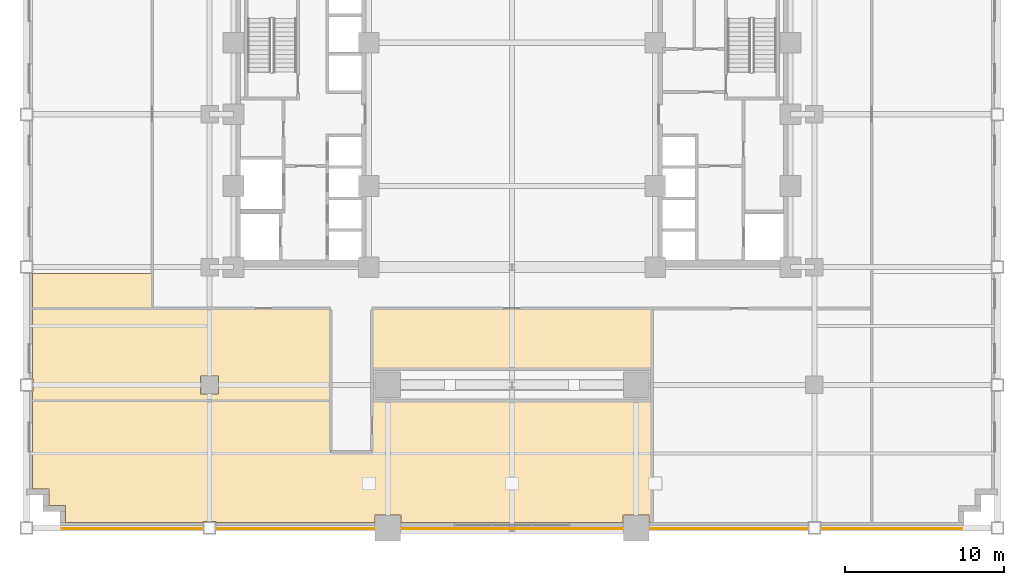
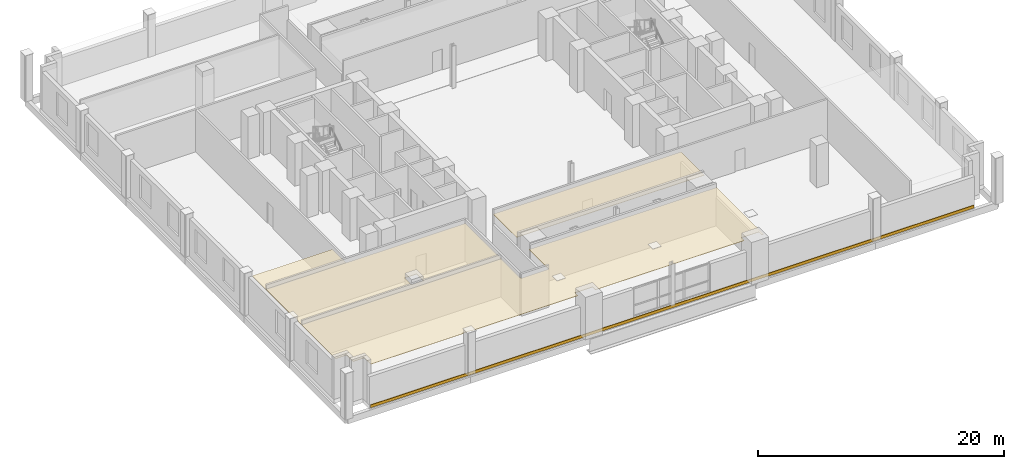
# One storey, part 12 of 17: 5 coverings.
"""IFC4 building model written with IfcOpenShell, lengths in metres."""

from ifc_helpers import new_model, si_unit, direction, frame, origin, origin_2d, place, context, subcontext, project, spatial, polyline, rectangle, outline, extrude, source, transform, mapped, material, layer, layer_set, type_object, type_shapes, element, save


model = new_model("IFC4")

# Units and contexts
model_context = context("Model", 3, precision=1e-05, world=origin(), true_north=direction((0.0, 1.0)))
body_context = subcontext(model_context, "Body", "Model", "MODEL_VIEW")
ifc_project = project(units=[si_unit("LENGTHUNIT", "METRE"), si_unit("AREAUNIT", "SQUARE_METRE"), si_unit("VOLUMEUNIT", "CUBIC_METRE"), si_unit("PLANEANGLEUNIT", "RADIAN"), si_unit("MASSUNIT", "GRAM", prefix="KILO")], contexts=[model_context])

# Site, building, storey
site_placement = place(None, origin())
site = spatial("IfcSite", under=ifc_project, at=site_placement, CompositionType="ELEMENT")
building_placement = place(site_placement, origin())
building = spatial("IfcBuilding", under=site, at=building_placement, Name="Nuvemarco Arch Tower", CompositionType="ELEMENT")
storey_placement = place(building_placement, frame((0.0, 0.0, 23.0)))
storey = spatial("IfcBuildingStorey", under=building, at=storey_placement, Name="L05", CompositionType="ELEMENT", Elevation=23.0)

# Coverings
ifc_material_1 = material(Name="Mineral acoustic ceiling tile")
ifc_layer_1 = layer(ifc_material_1, 0.0400390625, Name="COV-ACOUSTIC-CLG")
ifc_layer_set_1 = layer_set([ifc_layer_1], Name="Mineral acoustic ceiling tile")
covering_type_1 = type_object("IfcCoveringType", Name="COV-ACOUSTIC-CLG", PredefinedType="CEILING", material=ifc_layer_set_1)
covering_1_placement = place(storey_placement, frame((0.0, 0.0, 3.679931640625)))
element("IfcCovering", 1, at=covering_1_placement, inside=storey, type_object=covering_type_1, Name="L05 suspended acoustic ceiling 1", PredefinedType="CEILING", context=body_context, shape_type="SweptSolid", body=[
    extrude(outline(polyline([(-6.985107421875, -25.18505859375), (-8.614990234375, -25.18505859375), (-8.614990234375, -25.639892578125), (-18.5849609375, -25.639892578125), (-18.5849609375, -25.5849609375), (-19.4150390625, -25.5849609375), (-19.4150390625, -25.639892578125), (-28.0400390625, -25.639892578125), (-28.0400390625, -24.590087890625), (-29.090087890625, -24.590087890625), (-29.090087890625, -23.5400390625), (-30.139892578125, -23.5400390625), (-30.139892578125, -18.0), (-11.39990234375, -18.0), (-11.39990234375, -21.199951171875), (-8.800048828125, -21.199951171875), (-8.800048828125, -18.0), (8.800048828125, -18.0), (8.800048828125, -25.639892578125), (8.614990234375, -25.639892578125), (8.614990234375, -25.18505859375), (6.985107421875, -25.18505859375), (6.985107421875, -25.639892578125), (-6.985107421875, -25.639892578125), (-6.985107421875, -25.18505859375)])), origin(), (0.0, 0.0, 1.0), 0.0400390625),
])
covering_2_placement = place(storey_placement, frame((0.0, 0.0, 3.679931640625)))
element("IfcCovering", 2, at=covering_2_placement, inside=storey, type_object=covering_type_1, Name="L05 suspended acoustic ceiling 4", PredefinedType="CEILING", context=body_context, shape_type="SweptSolid", body=[
    extrude(outline(polyline([(-30.139892578125, -10.014892578125), (-30.0849609375, -10.014892578125), (-30.0849609375, -10.0), (-22.60009765625, -10.0), (-22.60009765625, -12.199951171875), (-30.139892578125, -12.199951171875), (-30.139892578125, -10.014892578125)])), origin(), (0.0, 0.0, 1.0), 0.0400390625),
])
covering_3_placement = place(storey_placement, frame((0.0, 0.0, 3.679931640625)))
element("IfcCovering", 3, at=covering_3_placement, inside=storey, type_object=covering_type_1, Name="L05 suspended acoustic ceiling 7", PredefinedType="CEILING", context=body_context, shape_type="SweptSolid", body=[
    extrude(outline(polyline([(-22.60009765625, -12.199951171875), (-19.800048828125, -12.199951171875), (-11.39990234375, -12.199951171875), (-11.39990234375, -18.0), (-30.139892578125, -18.0), (-30.139892578125, -17.4150390625), (-30.0849609375, -17.4150390625), (-30.0849609375, -16.5849609375), (-30.139892578125, -16.5849609375), (-30.139892578125, -12.199951171875), (-22.60009765625, -12.199951171875)]), holes=[polyline([(-18.43505859375, -17.56494140625), (-18.43505859375, -16.43505859375), (-19.56494140625, -16.43505859375), (-19.56494140625, -17.56494140625), (-18.43505859375, -17.56494140625)])]), origin(), (0.0, 0.0, 1.0), 0.0400390625),
])
covering_4_placement = place(storey_placement, frame((0.0, 0.0, 3.679931640625)))
element("IfcCovering", 4, at=covering_4_placement, inside=storey, type_object=covering_type_1, Name="L05 suspended acoustic ceiling 9", PredefinedType="CEILING", context=body_context, shape_type="SweptSolid", body=[
    extrude(outline(polyline([(-8.800048828125, -12.199951171875), (8.800048828125, -12.199951171875), (8.800048828125, -16.0), (-8.800048828125, -16.0), (-8.800048828125, -12.199951171875)])), origin(), (0.0, 0.0, 1.0), 0.0400390625),
])
ifc_material_2 = material(Name="Precast concrete C45/55", Category="concrete")
ifc_layer_2 = layer(ifc_material_2, 0.06005859375, Name="COV-SPANDREL-CLAD")
ifc_layer_set_2 = layer_set([ifc_layer_2], Name="Precast concrete C45/55")
covering_type_2 = type_object("IfcCoveringType", Name="COV-SPANDREL-CLAD", PredefinedType="CLADDING", material=ifc_layer_set_2)
shared_shape = source(origin(), body_context, "Body", "SweptSolid", [
    extrude(rectangle(XDim=56.60009765625, YDim=0.06005859375, at=origin_2d()), origin(), (0.0, 0.0, 1.0), 0.280029296875),
])
type_shapes(covering_type_2, [shared_shape])
covering_5_placement = place(storey_placement, frame((0.0, -26.029052734375, -0.27978515625), z_axis=(0.0, 0.0, 1.0), x_axis=(1.0, 0.0, 0.0)))
element("IfcCovering", 5, at=covering_5_placement, inside=storey, type_object=covering_type_2, Name="L05 precast spandrel edge cladding south", PredefinedType="CLADDING", context=body_context, shape_type="MappedRepresentation", body=[
    mapped(shared_shape, transform((0.0, 0.0, 0.0), scale=1.0)),
])

save(model, "model.ifc")
